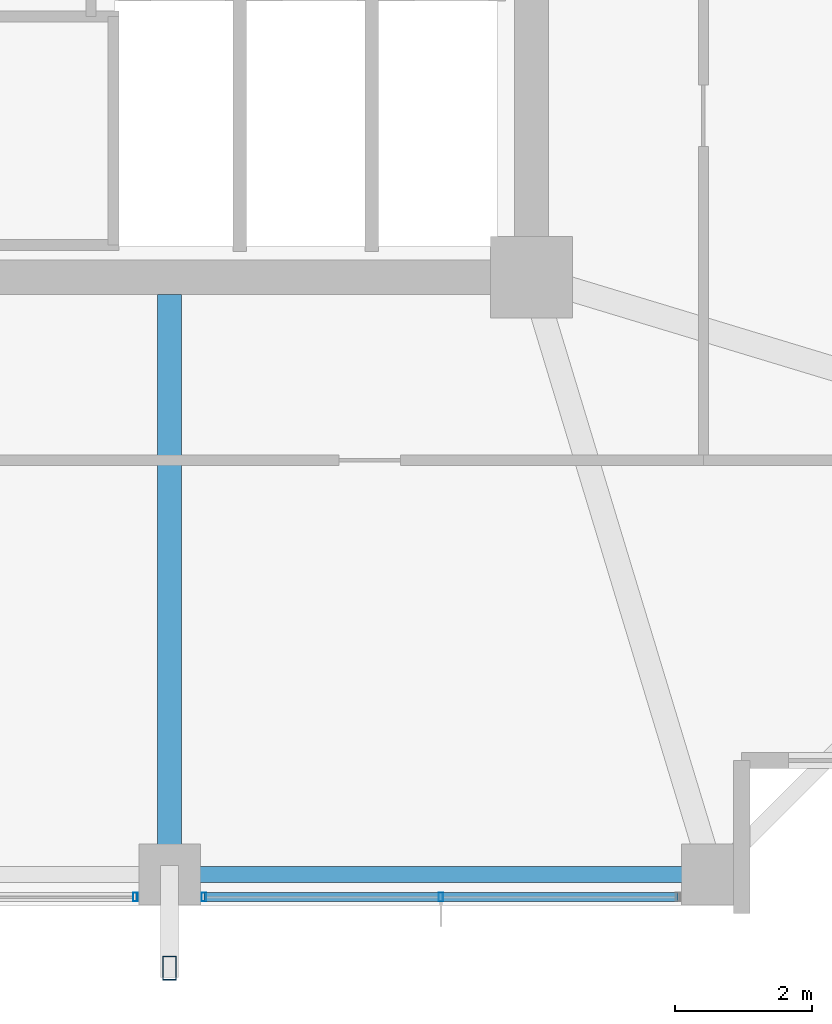
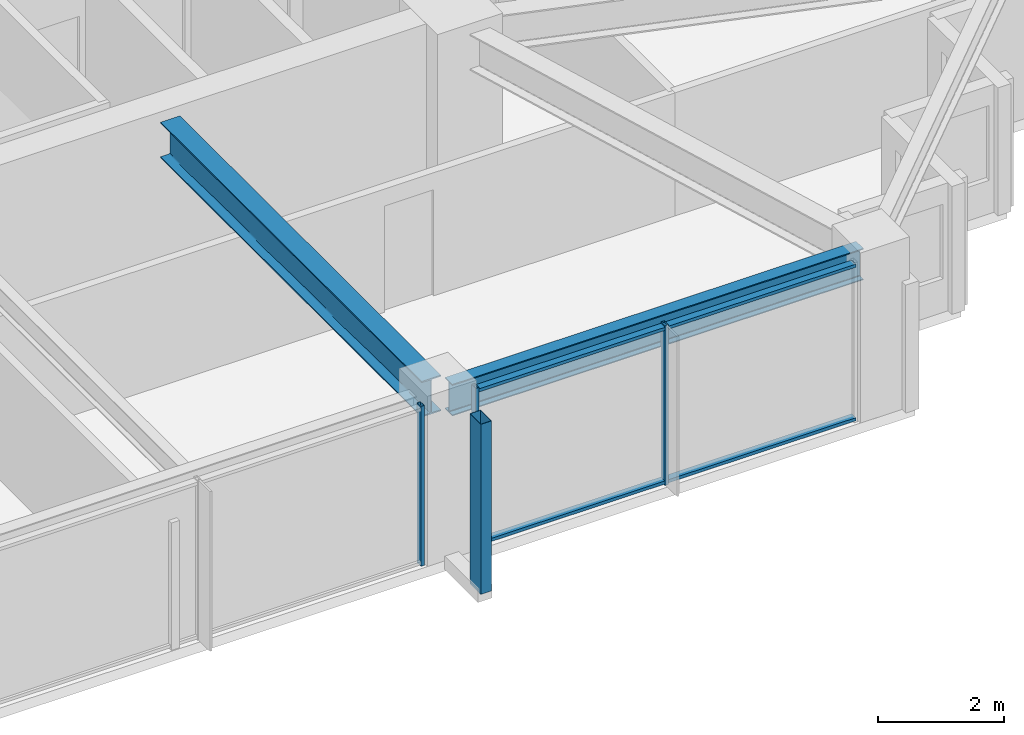
# One storey, part 7 of 35: 6 members, 2 beams, 2 elements without a shape of their own.
"""IFC4 building model written with IfcOpenShell, lengths in metres."""

from ifc_helpers import new_model, si_unit, direction, frame, origin, origin_2d, place, context, subcontext, project, spatial, hollow_rectangle, i_section, extrude, material, material_profile, profile_set, type_object, element, aggregate, save


model = new_model("IFC4")

# Units and contexts
model_context = context("Model", 3, precision=1e-05, world=origin(), true_north=direction((0.0, 1.0)))
body_context = subcontext(model_context, "Body", "Model", "MODEL_VIEW")
ifc_project = project(units=[si_unit("LENGTHUNIT", "METRE"), si_unit("AREAUNIT", "SQUARE_METRE"), si_unit("VOLUMEUNIT", "CUBIC_METRE"), si_unit("PLANEANGLEUNIT", "RADIAN"), si_unit("MASSUNIT", "GRAM", prefix="KILO")], contexts=[model_context])

# Site, building, storey
site_placement = place(None, origin())
site = spatial("IfcSite", under=ifc_project, at=site_placement, CompositionType="ELEMENT")
building_placement = place(site_placement, origin())
building = spatial("IfcBuilding", under=site, at=building_placement, Name="Kolvaren Belvedere", CompositionType="ELEMENT")
storey_placement = place(building_placement, frame((0.0, 0.0, 163.5)))
storey = spatial("IfcBuildingStorey", under=building, at=storey_placement, Name="L47", CompositionType="ELEMENT", Elevation=163.5)

# Beams
ifc_material_1 = material(Name="Structural steel ASTM A992 Grade 50", Category="steel")
ifc_material_profile_1 = material_profile(ifc_material_1, i_section(OverallWidth=0.35498046875, OverallDepth=0.696044921875, WebThickness=0.015380859375, FlangeThickness=0.02490234375, FilletRadius=0.02197265625, at=origin_2d()), Name="W27X146")
ifc_profile_set_1 = profile_set([ifc_material_profile_1], Name="Structural steel ASTM A992 Grade 50")
beam_type_1 = type_object("IfcBeamType", Name="BM-GIRD-W27X146", PredefinedType="BEAM", material=ifc_profile_set_1)
beam_1_placement = place(storey_placement, frame((4.60009765625, -10.14990234375, 2.751953125), z_axis=(0.0, -1.0, 0.0), x_axis=(1.0, 0.0, 0.0)))
element("IfcBeam", 1, at=beam_1_placement, inside=storey, type_object=beam_type_1, Name="L47 South Radial Girder P", PredefinedType="BEAM", context=body_context, shape_type="SweptSolid", body=[
    extrude(i_section(OverallWidth=0.35498046875, OverallDepth=0.696044921875, WebThickness=0.015380859375, FlangeThickness=0.02490234375, FilletRadius=0.02197265625, at=origin_2d()), origin(), (0.0, 0.0, 1.0), 8.297607421875),
])
ifc_material_2 = material(Name="Structural steel ASTM A992 Grade 50", Category="steel")
ifc_material_profile_2 = material_profile(ifc_material_2, i_section(OverallWidth=0.22900390625, OverallDepth=0.612060546875, WebThickness=0.011962890625, FlangeThickness=0.01953125, FilletRadius=0.01806640625, at=origin_2d()), Name="W24X84")
ifc_profile_set_2 = profile_set([ifc_material_profile_2], Name="Structural steel ASTM A992 Grade 50")
beam_type_2 = type_object("IfcBeamType", Name="BM-SPAN-W24X84", PredefinedType="SPANDREL", material=ifc_profile_set_2)
beam_2_placement = place(storey_placement, frame((4.802490234375, -18.64990234375, 2.7939453125), z_axis=(1.0, 0.0, 0.0), x_axis=(0.0, 1.0, 0.0)))
element("IfcBeam", 2, at=beam_2_placement, inside=storey, type_object=beam_type_2, Name="L47 Perimeter Spandrel S3-S4", PredefinedType="SPANDREL", context=body_context, shape_type="SweptSolid", body=[
    extrude(i_section(OverallWidth=0.22900390625, OverallDepth=0.612060546875, WebThickness=0.011962890625, FlangeThickness=0.01953125, FilletRadius=0.01806640625, at=origin_2d()), origin(), (0.0, 0.0, 1.0), 7.544921875),
])

# Curtain wall, members
ifc_material_3 = material(Name="Anodised pale-metal aluminium AA 6063-T6", Category="aluminium")
curtain_wall_type = type_object("IfcCurtainWallType", Name="CW-Z3-WAIST", PredefinedType="NOTDEFINED", material=ifc_material_3)
curtain_wall_1_placement = place(storey_placement, origin())
curtain_wall_1 = element("IfcCurtainWall", 3, at=curtain_wall_1_placement, inside=storey, type_object=curtain_wall_type, Name="L47 Unitised Curtain Wall FCW-L47-S-B1", PredefinedType="NOTDEFINED")
ifc_material_4 = material(Name="Anodised pale-metal aluminium AA 6063-T6", Category="aluminium")
ifc_material_profile_3 = material_profile(ifc_material_4, hollow_rectangle(XDim=0.06494140625, YDim=0.1298828125, WallThickness=0.00390625, at=origin_2d()), Name="ALU-MUL-130X65")
ifc_profile_set_3 = profile_set([ifc_material_profile_3], Name="Anodised pale-metal aluminium AA 6063-T6")
member_type_1 = type_object("IfcMemberType", Name="CW-MUL-130", PredefinedType="MULLION", material=ifc_profile_set_3)
member_1_placement = place(storey_placement, frame((8.574951171875, -18.97998046875, 0.0), z_axis=(0.0, 0.0, 1.0), x_axis=(1.0, 0.0, 0.0)))
member_1 = element("IfcMember", 4, at=member_1_placement, type_object=member_type_1, Name="FCW-L47-S-B1 Unitised Mullion 2", PredefinedType="MULLION", context=body_context, shape_type="SweptSolid", body=[
    extrude(hollow_rectangle(XDim=0.06494140625, YDim=0.1298828125, WallThickness=0.00390625, at=origin_2d()), origin(), (0.0, 0.0, 1.0), 3.10009765625),
])
member_2_placement = place(storey_placement, frame((5.1025390625, -18.97998046875, 0.0), z_axis=(0.0, 0.0, 1.0), x_axis=(1.0, 0.0, 0.0)))
member_2 = element("IfcMember", 5, at=member_2_placement, type_object=member_type_1, Name="FCW-L47-S-B1 Unitised Mullion 3", PredefinedType="MULLION", context=body_context, shape_type="SweptSolid", body=[
    extrude(hollow_rectangle(XDim=0.06494140625, YDim=0.1298828125, WallThickness=0.00390625, at=origin_2d()), origin(), (0.0, 0.0, 1.0), 3.10009765625),
])

# Curtain wall, member
curtain_wall_2_placement = place(storey_placement, origin())
curtain_wall_2 = element("IfcCurtainWall", 6, at=curtain_wall_2_placement, inside=storey, type_object=curtain_wall_type, Name="L47 Unitised Curtain Wall FCW-L47-S-B2", PredefinedType="NOTDEFINED")
member_3_placement = place(storey_placement, frame((4.097412109375, -18.97998046875, 0.0), z_axis=(0.0, 0.0, 1.0), x_axis=(1.0, 0.0, 0.0)))
member_3 = element("IfcMember", 7, at=member_3_placement, type_object=member_type_1, Name="FCW-L47-S-B2 Unitised Mullion 1", PredefinedType="MULLION", context=body_context, shape_type="SweptSolid", body=[
    extrude(hollow_rectangle(XDim=0.06494140625, YDim=0.1298828125, WallThickness=0.00390625, at=origin_2d()), origin(), (0.0, 0.0, 1.0), 3.10009765625),
])
aggregate(curtain_wall_2, [member_3])

# Member
ifc_material_5 = material(Name="Anodised pale-metal aluminium AA 6063-T6", Category="aluminium")
ifc_material_profile_4 = material_profile(ifc_material_5, hollow_rectangle(XDim=0.06005859375, YDim=0.1298828125, WallThickness=0.00390625, at=origin_2d()), Name="ALU-TRN-130X60")
ifc_profile_set_4 = profile_set([ifc_material_profile_4], Name="Anodised pale-metal aluminium AA 6063-T6")
member_type_2 = type_object("IfcMemberType", Name="CW-TRN-130", PredefinedType="USERDEFINED", material=ifc_profile_set_4)
member_4_placement = place(storey_placement, frame((12.047607421875, -18.97998046875, 0.06005859375), z_axis=(-1.0, 0.0, 0.0), x_axis=(0.0, 0.0, 1.0)))
member_4 = element("IfcMember", 8, at=member_4_placement, type_object=member_type_2, Name="FCW-L47-S-B1 Sill Transom", ObjectType="TRANSOM", PredefinedType="USERDEFINED", context=body_context, shape_type="SweptSolid", body=[
    extrude(hollow_rectangle(XDim=0.06005859375, YDim=0.1298828125, WallThickness=0.00390625, at=origin_2d()), origin(), (0.0, 0.0, 1.0), 6.945068359375),
])

member_5_placement = place(storey_placement, frame((12.047607421875, -18.97998046875, 3.0400390625), z_axis=(-1.0, 0.0, 0.0), x_axis=(0.0, 0.0, 1.0)))
member_5 = element("IfcMember", 9, at=member_5_placement, type_object=member_type_2, Name="FCW-L47-S-B1 Head Transom", ObjectType="TRANSOM", PredefinedType="USERDEFINED", context=body_context, shape_type="SweptSolid", body=[
    extrude(hollow_rectangle(XDim=0.06005859375, YDim=0.1298828125, WallThickness=0.00390625, at=origin_2d()), origin(), (0.0, 0.0, 1.0), 6.945068359375),
])

aggregate(curtain_wall_1, [member_1, member_2, member_4, member_5])

ifc_material_6 = material(Name="Anodised pale-metal aluminium AA 6063-T6", Category="aluminium")
ifc_material_profile_5 = material_profile(ifc_material_6, hollow_rectangle(XDim=0.199951171875, YDim=0.35009765625, WallThickness=0.007568359375, at=origin_2d()), Name="ALU-PF-350X200")
ifc_profile_set_5 = profile_set([ifc_material_profile_5], Name="Anodised pale-metal aluminium AA 6063-T6")
member_type_3 = type_object("IfcMemberType", Name="PF-FRAME-350", PredefinedType="USERDEFINED", material=ifc_profile_set_5)
member_6_placement = place(storey_placement, frame((4.60009765625, -20.02001953125, 0.0), z_axis=(0.0, 0.0, 1.0), x_axis=(1.0, 0.0, 0.0)))
element("IfcMember", 10, at=member_6_placement, inside=storey, type_object=member_type_3, Name="L47 Outboard Picture-Frame Vertical S1", ObjectType="PICTURE FRAME FIN", PredefinedType="USERDEFINED", context=body_context, shape_type="SweptSolid", body=[
    extrude(hollow_rectangle(XDim=0.199951171875, YDim=0.35009765625, WallThickness=0.007568359375, at=origin_2d()), origin(), (0.0, 0.0, 1.0), 3.300048828125),
])

save(model, "model.ifc")
